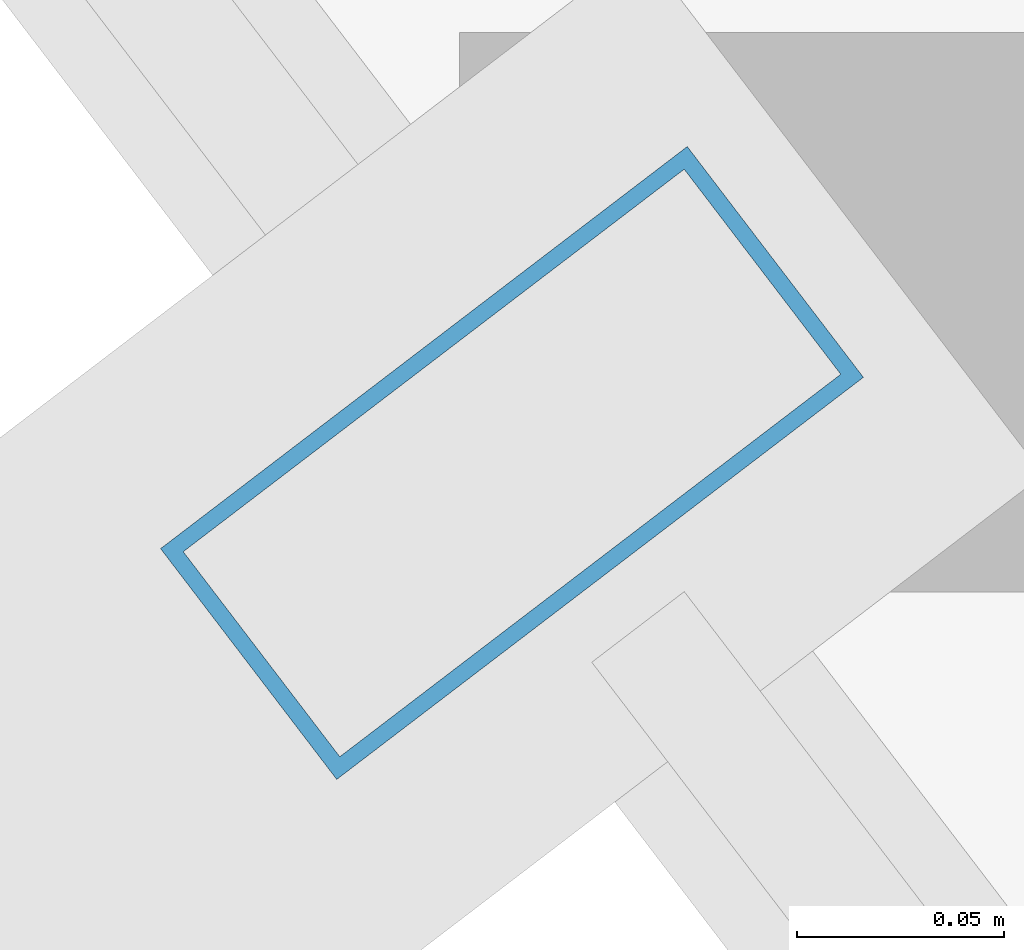
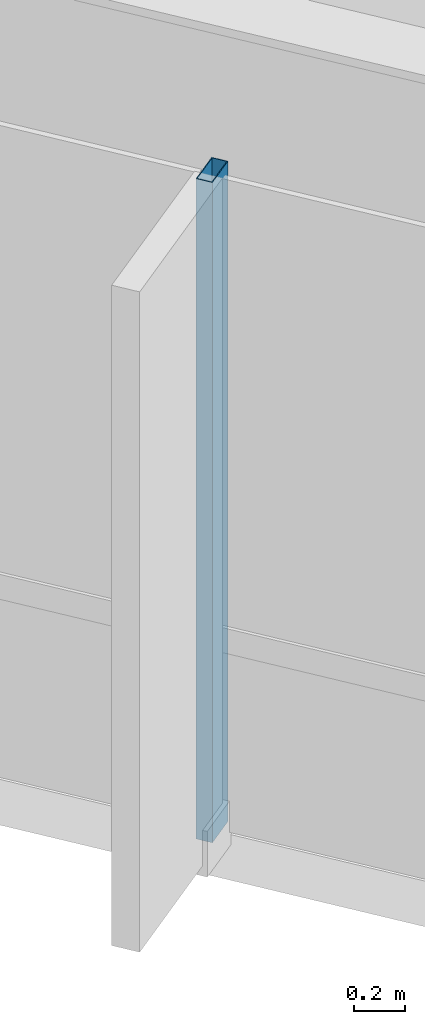
# One storey, part 5 of 22: 1 member, 1 element without a shape of its own.
"""IFC4 building model written with IfcOpenShell, lengths in metres."""

from ifc_helpers import new_model, si_unit, direction, frame, origin, origin_2d, place, context, subcontext, project, spatial, hollow_rectangle, extrude, material, layer, layer_set, material_profile, profile_set, type_object, element, aggregate, save


model = new_model("IFC4")

# Units and contexts
model_context = context("Model", 3, precision=1e-05, world=origin(), true_north=direction((0.0, 1.0)))
body_context = subcontext(model_context, "Body", "Model", "MODEL_VIEW")
ifc_project = project(units=[si_unit("LENGTHUNIT", "METRE"), si_unit("AREAUNIT", "SQUARE_METRE"), si_unit("VOLUMEUNIT", "CUBIC_METRE"), si_unit("PLANEANGLEUNIT", "RADIAN"), si_unit("MASSUNIT", "GRAM", prefix="KILO")], contexts=[model_context])

# Site, building, storey
site_placement = place(None, origin())
site = spatial("IfcSite", under=ifc_project, at=site_placement, CompositionType="ELEMENT")
building_placement = place(site_placement, origin())
building = spatial("IfcBuilding", under=site, at=building_placement, Name="Zarrinselat Tower", CompositionType="ELEMENT")
storey_placement = place(building_placement, frame((0.0, 0.0, 295.800048828125)))
storey = spatial("IfcBuildingStorey", under=building, at=storey_placement, Name="L76", CompositionType="ELEMENT", Elevation=295.800048828125)

# Curtain wall, member
ifc_material_1 = material(Name="Extruded Aluminium Alloy EN AW-6063 T6", Category="aluminium")
ifc_layer = layer(ifc_material_1, 0.169921875)
ifc_layer_set = layer_set([ifc_layer], Name="Extruded Aluminium Alloy EN AW-6063 T6")
curtain_wall_type = type_object("IfcCurtainWallType", Name="CWS-RES", PredefinedType="NOTDEFINED", material=ifc_layer_set)
curtain_wall_placement = place(storey_placement, origin())
curtain_wall = element("IfcCurtainWall", 1, at=curtain_wall_placement, inside=storey, type_object=curtain_wall_type, Name="L76 Unitised Curtain Wall CW-L76-E03", PredefinedType="NOTDEFINED")
ifc_material_2 = material(Name="Extruded Aluminium Alloy EN AW-6063 T6", Category="aluminium")
ifc_material_profile = material_profile(ifc_material_2, hollow_rectangle(XDim=0.070068359375, YDim=0.159912109375, WallThickness=0.00390625, at=origin_2d()), Name="RHS 160x70x4")
ifc_profile_set = profile_set([ifc_material_profile], Name="Extruded Aluminium Alloy EN AW-6063 T6")
member_type = type_object("IfcMemberType", Name="MEM-CW-MUL2", PredefinedType="MULLION", material=ifc_profile_set)
member_placement = place(storey_placement, frame((26.602294921875, 30.113525390625, 0.0), z_axis=(0.0, 0.0, 1.0), x_axis=(0.606801746242, -0.794853219631, 0.0)))
member = element("IfcMember", 2, at=member_placement, type_object=member_type, Name="CW-L76-E03 Mullion 5", PredefinedType="MULLION", context=body_context, shape_type="SweptSolid", body=[
    extrude(hollow_rectangle(XDim=0.070068359375, YDim=0.159912109375, WallThickness=0.00390625, at=origin_2d()), origin(), (0.0, 0.0, 1.0), 3.179931640625),
])
aggregate(curtain_wall, [member])

save(model, "model.ifc")
